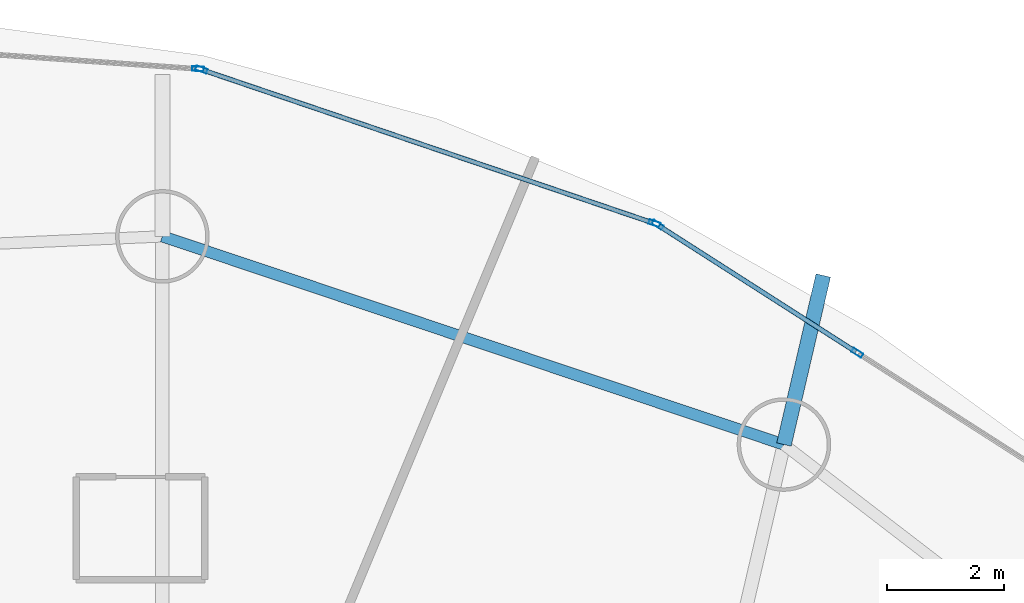
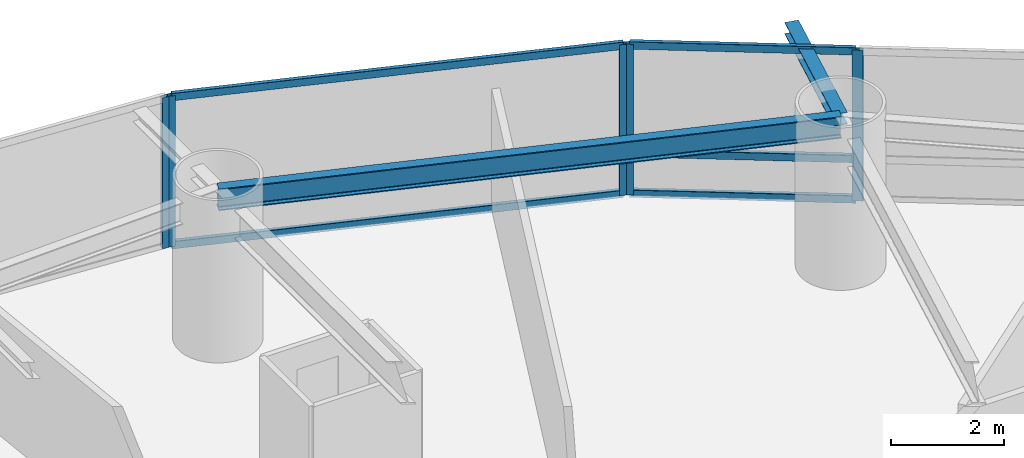
# One storey, part 16 of 27: 10 members, 2 beams, 3 elements without a shape of their own.
"""IFC4 building model written with IfcOpenShell, lengths in metres."""

from ifc_helpers import new_model, si_unit, direction, frame, origin, origin_2d, place, context, subcontext, project, spatial, hollow_rectangle, i_section, extrude, material, layer, layer_set, material_profile, profile_set, type_object, element, aggregate, save


model = new_model("IFC4")

# Units and contexts
model_context = context("Model", 3, precision=1e-05, world=origin(), true_north=direction((0.0, 1.0)))
body_context = subcontext(model_context, "Body", "Model", "MODEL_VIEW")
ifc_project = project(units=[si_unit("LENGTHUNIT", "METRE"), si_unit("AREAUNIT", "SQUARE_METRE"), si_unit("VOLUMEUNIT", "CUBIC_METRE"), si_unit("PLANEANGLEUNIT", "RADIAN"), si_unit("MASSUNIT", "GRAM", prefix="KILO")], contexts=[model_context])

# Site, building, storey
site_placement = place(None, origin())
site = spatial("IfcSite", under=ifc_project, at=site_placement, CompositionType="ELEMENT")
building_placement = place(site_placement, origin())
building = spatial("IfcBuilding", under=site, at=building_placement, Name="Bramvorn Convention Spire", CompositionType="ELEMENT")
storey_placement = place(building_placement, frame((0.0, 0.0, 79.89990234375)))
storey = spatial("IfcBuildingStorey", under=building, at=storey_placement, Name="L18", CompositionType="ELEMENT", Elevation=79.89990234375)

# Beams
ifc_material_1 = material(Name="Steel CSA G40.21 Grade 350 (350W)", Category="steel")
ifc_material_profile_1 = material_profile(ifc_material_1, i_section(OverallWidth=0.25390625, OverallDepth=0.2529296875, WebThickness=0.008544921875, FlangeThickness=0.01416015625, FilletRadius=0.011962890625, at=origin_2d()))
ifc_profile_set_1 = profile_set([ifc_material_profile_1], Name="Steel CSA G40.21 Grade 350 (350W) - W250X73")
beam_type_1 = type_object("IfcBeamType", Name="BM-W250X73", PredefinedType="BEAM", material=ifc_profile_set_1)
beam_1_placement = place(storey_placement, frame((51.59033203125, 43.509033203125, 3.12353515625), z_axis=(0.22657157713, 0.973994517663, 0.0), x_axis=(-0.973994517663, 0.22657157713, 0.0)))
element("IfcBeam", 1, at=beam_1_placement, inside=storey, type_object=beam_type_1, Name="L18 slab-edge cantilever tip beam MC04", PredefinedType="BEAM", context=body_context, shape_type="SweptSolid", body=[
    extrude(i_section(OverallWidth=0.25390625, OverallDepth=0.2529296875, WebThickness=0.008544921875, FlangeThickness=0.01416015625, FilletRadius=0.011962890625, at=origin_2d()), origin(), (0.0, 0.0, 1.0), 2.967529296875),
])
ifc_material_profile_2 = material_profile(ifc_material_1, i_section(OverallWidth=0.194091796875, OverallDepth=0.468994140625, WebThickness=0.0126953125, FlangeThickness=0.0205078125, FilletRadius=0.01806640625, at=origin_2d()))
ifc_profile_set_2 = profile_set([ifc_material_profile_2], Name="Steel CSA G40.21 Grade 350 (350W) - W460X106")
beam_type_2 = type_object("IfcBeamType", Name="BM-W460X106", PredefinedType="SPANDREL", material=ifc_profile_set_2)
beam_2_placement = place(storey_placement, frame((51.59033203125, 43.509033203125, 3.015625), z_axis=(-0.948235872727, 0.317566890078, 0.0), x_axis=(-0.317566890078, -0.948235872727, 0.0)))
element("IfcBeam", 2, at=beam_2_placement, inside=storey, type_object=beam_type_2, Name="L18 mega-column ring beam 04", PredefinedType="SPANDREL", context=body_context, shape_type="SweptSolid", body=[
    extrude(i_section(OverallWidth=0.194091796875, OverallDepth=0.468994140625, WebThickness=0.0126953125, FlangeThickness=0.0205078125, FilletRadius=0.01806640625, at=origin_2d()), origin(), (0.0, 0.0, 1.0), 11.209716796875),
])

# Curtain wall, members
ifc_material_2 = material(Name="Anodised Bronze Unitised Curtain Wall", Category="aluminium")
ifc_layer = layer(ifc_material_2, 0.179931640625)
ifc_layer_set = layer_set([ifc_layer], Name="Anodised Bronze Unitised Curtain Wall - CW-HTL-FRIT")
curtain_wall_type = type_object("IfcCurtainWallType", Name="CW-HTL-FRIT", PredefinedType="USERDEFINED", material=ifc_layer_set)
curtain_wall_1_placement = place(storey_placement, origin())
curtain_wall_1 = element("IfcCurtainWall", 3, at=curtain_wall_1_placement, inside=storey, type_object=curtain_wall_type, Name="L18 fritted glass curtain wall 05", ObjectType="UNITISED CURTAIN WALL", PredefinedType="USERDEFINED")
ifc_material_3 = material(Name="Anodised Bronze Aluminium 6063-T6", Category="aluminium")
ifc_material_profile_3 = material_profile(ifc_material_3, hollow_rectangle(XDim=0.080078125, YDim=0.199951171875, WallThickness=0.00390625, InnerFilletRadius=0.0009765625, OuterFilletRadius=0.00390625, at=origin_2d()))
ifc_profile_set_3 = profile_set([ifc_material_profile_3], Name="Anodised Bronze Aluminium 6063-T6 - CWM80X200")
member_type_1 = type_object("IfcMemberType", Name="CW-MUL-180", PredefinedType="MULLION", material=ifc_profile_set_3)
member_1_placement = place(storey_placement, frame((49.43017578125, 47.264404296875, 0.0), z_axis=(0.0, 0.0, 1.0), x_axis=(0.539152672199, 0.842208047967, 0.0)))
member_1 = element("IfcMember", 4, at=member_1_placement, type_object=member_type_1, Name="CW2 mullion 1", PredefinedType="MULLION", context=body_context, shape_type="SweptSolid", body=[
    extrude(hollow_rectangle(XDim=0.080078125, YDim=0.199951171875, WallThickness=0.00390625, InnerFilletRadius=0.0009765625, OuterFilletRadius=0.00390625, at=origin_2d()), origin(), (0.0, 0.0, 1.0), 3.25),
])
member_2_placement = place(storey_placement, frame((52.845458984375, 45.078125, 0.0), z_axis=(0.0, 0.0, 1.0), x_axis=(0.539152672199, 0.842208047967, 0.0)))
member_2 = element("IfcMember", 5, at=member_2_placement, type_object=member_type_1, Name="CW2 mullion 2", PredefinedType="MULLION", context=body_context, shape_type="SweptSolid", body=[
    extrude(hollow_rectangle(XDim=0.080078125, YDim=0.199951171875, WallThickness=0.00390625, InnerFilletRadius=0.0009765625, OuterFilletRadius=0.00390625, at=origin_2d()), origin(), (0.0, 0.0, 1.0), 3.25),
])

curtain_wall_2_placement = place(storey_placement, origin())
curtain_wall_2 = element("IfcCurtainWall", 6, at=curtain_wall_2_placement, inside=storey, type_object=curtain_wall_type, Name="L18 fritted glass curtain wall 06", ObjectType="UNITISED CURTAIN WALL", PredefinedType="USERDEFINED")
member_3_placement = place(storey_placement, frame((41.62939453125, 49.921142578125, 0.0), z_axis=(0.0, 0.0, 1.0), x_axis=(0.321548352083, 0.946893160432, 0.0)))
member_3 = element("IfcMember", 7, at=member_3_placement, type_object=member_type_1, Name="CW2 mullion 1", PredefinedType="MULLION", context=body_context, shape_type="SweptSolid", body=[
    extrude(hollow_rectangle(XDim=0.080078125, YDim=0.199951171875, WallThickness=0.00390625, InnerFilletRadius=0.0009765625, OuterFilletRadius=0.00390625, at=origin_2d()), origin(), (0.0, 0.0, 1.0), 3.25),
])
member_4_placement = place(storey_placement, frame((49.37646484375, 47.290283203125, 0.0), z_axis=(0.0, 0.0, 1.0), x_axis=(0.321548352083, 0.946893160432, 0.0)))
member_4 = element("IfcMember", 8, at=member_4_placement, type_object=member_type_1, Name="CW2 mullion 2", PredefinedType="MULLION", context=body_context, shape_type="SweptSolid", body=[
    extrude(hollow_rectangle(XDim=0.080078125, YDim=0.199951171875, WallThickness=0.00390625, InnerFilletRadius=0.0009765625, OuterFilletRadius=0.00390625, at=origin_2d()), origin(), (0.0, 0.0, 1.0), 3.25),
])

# Curtain wall, member
curtain_wall_3_placement = place(storey_placement, origin())
curtain_wall_3 = element("IfcCurtainWall", 9, at=curtain_wall_3_placement, inside=storey, type_object=curtain_wall_type, Name="L18 fritted glass curtain wall 07", ObjectType="UNITISED CURTAIN WALL", PredefinedType="USERDEFINED")
member_5_placement = place(storey_placement, frame((41.5712890625, 49.932861328125, 0.0), z_axis=(0.0, 0.0, 1.0), x_axis=(0.070510614418, 0.997511029139, 0.0)))
member_5 = element("IfcMember", 10, at=member_5_placement, type_object=member_type_1, Name="CW2 mullion 2", PredefinedType="MULLION", context=body_context, shape_type="SweptSolid", body=[
    extrude(hollow_rectangle(XDim=0.080078125, YDim=0.199951171875, WallThickness=0.00390625, InnerFilletRadius=0.0009765625, OuterFilletRadius=0.00390625, at=origin_2d()), origin(), (0.0, 0.0, 1.0), 3.25),
])
aggregate(curtain_wall_3, [member_5])

# Member
ifc_material_profile_4 = material_profile(ifc_material_3, hollow_rectangle(XDim=0.080078125, YDim=0.159912109375, WallThickness=0.00390625, InnerFilletRadius=0.0009765625, OuterFilletRadius=0.00390625, at=origin_2d()))
ifc_profile_set_4 = profile_set([ifc_material_profile_4], Name="Anodised Bronze Aluminium 6063-T6 - CWT80X160")
member_type_2 = type_object("IfcMemberType", Name="CW-TRN-150", PredefinedType="USERDEFINED", material=ifc_profile_set_4)
member_6_placement = place(storey_placement, frame((49.455322265625, 47.248291015625, 0.030029296875), z_axis=(0.84221923843, -0.539135191226, 0.0), x_axis=(0.539135191226, 0.84221923843, 0.0)))
member_6 = element("IfcMember", 11, at=member_6_placement, type_object=member_type_2, Name="CW2 transom 1.1", ObjectType="TRANSOM", PredefinedType="USERDEFINED", context=body_context, shape_type="SweptSolid", body=[
    extrude(hollow_rectangle(XDim=0.080078125, YDim=0.159912109375, WallThickness=0.00390625, InnerFilletRadius=0.0009765625, OuterFilletRadius=0.00390625, at=origin_2d()), origin(), (0.0, 0.0, 1.0), 3.995361328125),
])

member_7_placement = place(storey_placement, frame((49.455322265625, 47.248291015625, 0.900146484375), z_axis=(0.84221923843, -0.539135191226, 0.0), x_axis=(0.539135191226, 0.84221923843, 0.0)))
member_7 = element("IfcMember", 12, at=member_7_placement, type_object=member_type_2, Name="CW2 transom 1.2", ObjectType="TRANSOM", PredefinedType="USERDEFINED", context=body_context, shape_type="SweptSolid", body=[
    extrude(hollow_rectangle(XDim=0.080078125, YDim=0.159912109375, WallThickness=0.00390625, InnerFilletRadius=0.0009765625, OuterFilletRadius=0.00390625, at=origin_2d()), origin(), (0.0, 0.0, 1.0), 3.995361328125),
])

member_8_placement = place(storey_placement, frame((49.455322265625, 47.248291015625, 3.22021484375), z_axis=(0.84221923843, -0.539135191226, 0.0), x_axis=(0.539135191226, 0.84221923843, 0.0)))
member_8 = element("IfcMember", 13, at=member_8_placement, type_object=member_type_2, Name="CW2 transom 1.3", ObjectType="TRANSOM", PredefinedType="USERDEFINED", context=body_context, shape_type="SweptSolid", body=[
    extrude(hollow_rectangle(XDim=0.080078125, YDim=0.159912109375, WallThickness=0.00390625, InnerFilletRadius=0.0009765625, OuterFilletRadius=0.00390625, at=origin_2d()), origin(), (0.0, 0.0, 1.0), 3.995361328125),
])

aggregate(curtain_wall_1, [member_1, member_2, member_6, member_7, member_8])

member_9_placement = place(storey_placement, frame((41.657958984375, 49.911376953125, 0.030029296875), z_axis=(0.946894714295, -0.321543776243, 0.0), x_axis=(0.321543776243, 0.946894714295, 0.0)))
member_9 = element("IfcMember", 14, at=member_9_placement, type_object=member_type_2, Name="CW2 transom 1.1", ObjectType="TRANSOM", PredefinedType="USERDEFINED", context=body_context, shape_type="SweptSolid", body=[
    extrude(hollow_rectangle(XDim=0.080078125, YDim=0.159912109375, WallThickness=0.00390625, InnerFilletRadius=0.0009765625, OuterFilletRadius=0.00390625, at=origin_2d()), origin(), (0.0, 0.0, 1.0), 8.121337890625),
])

member_10_placement = place(storey_placement, frame((41.657958984375, 49.911376953125, 3.22021484375), z_axis=(0.946894714295, -0.321543776243, 0.0), x_axis=(0.321543776243, 0.946894714295, 0.0)))
member_10 = element("IfcMember", 15, at=member_10_placement, type_object=member_type_2, Name="CW2 transom 1.2", ObjectType="TRANSOM", PredefinedType="USERDEFINED", context=body_context, shape_type="SweptSolid", body=[
    extrude(hollow_rectangle(XDim=0.080078125, YDim=0.159912109375, WallThickness=0.00390625, InnerFilletRadius=0.0009765625, OuterFilletRadius=0.00390625, at=origin_2d()), origin(), (0.0, 0.0, 1.0), 8.121337890625),
])

aggregate(curtain_wall_2, [member_3, member_4, member_9, member_10])

save(model, "model.ifc")
